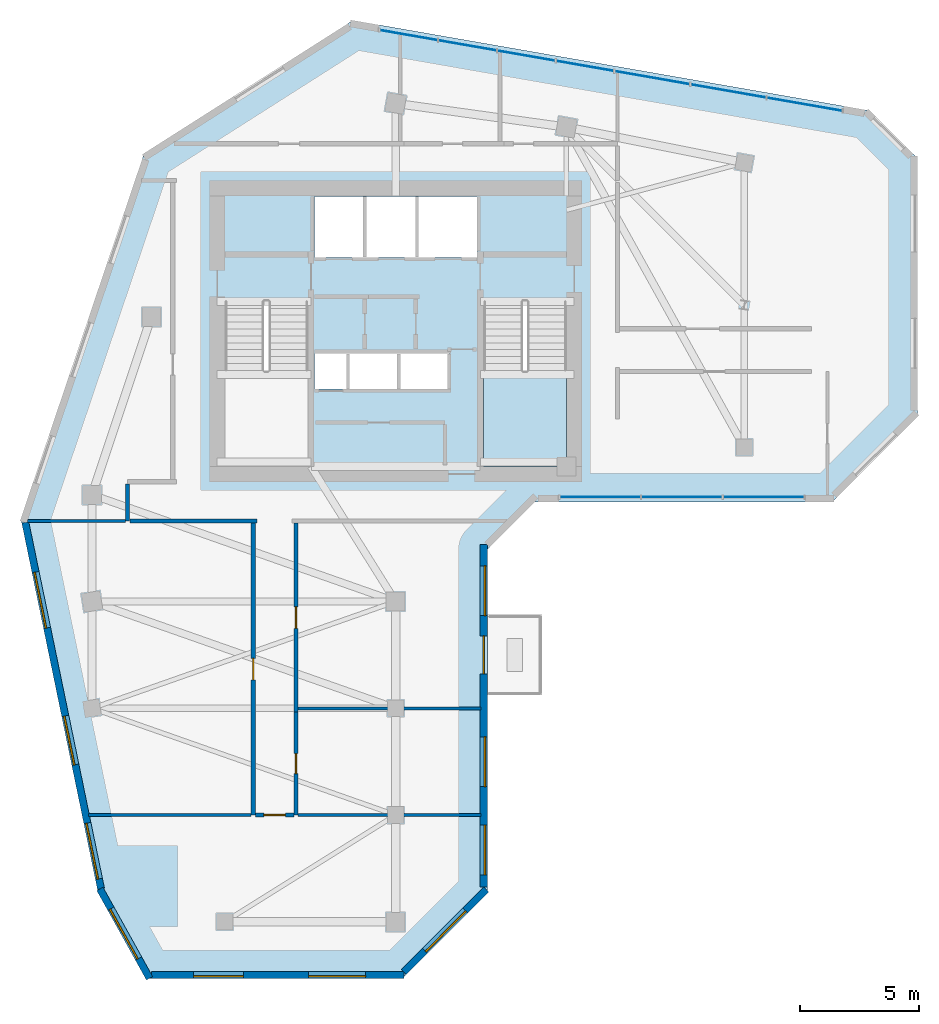
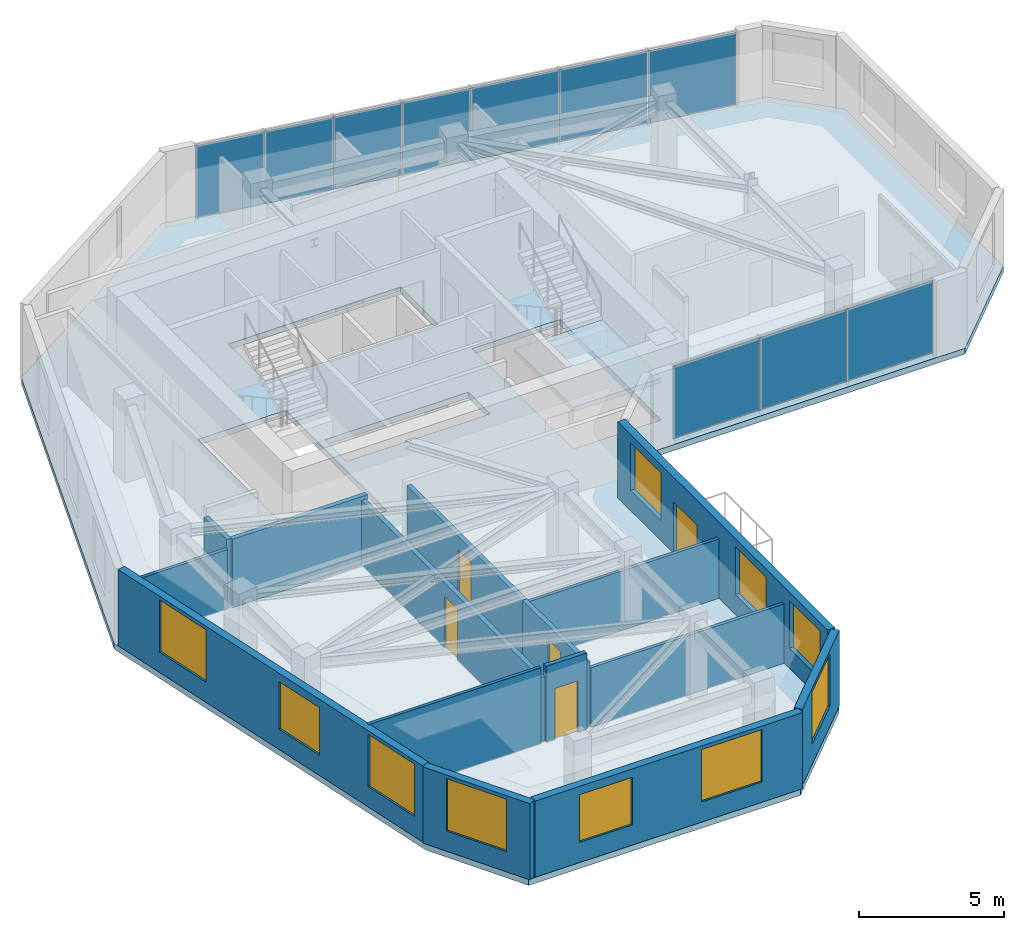
# One storey, part 3 of 9: 15 walls, 10 plates, 10 windows, 5 doors, 2 slabs, 15 openings, 3 elements without a shape of their own.
"""IFC4 building model written with IfcOpenShell, lengths in metres."""

from ifc_helpers import new_model, si_unit, direction, frame, frame_2d, origin, place, context, subcontext, project, spatial, polyline, rectangle, outline, extrude, source, transform, mapped, material, layer, layer_set, type_object, element, fill, aggregate, save


model = new_model("IFC4")

# Units and contexts
model_context = context("Model", 3, precision=1e-05, world=origin(), true_north=direction((0.0, 1.0)))
body_context = subcontext(model_context, "Body", "Model", "MODEL_VIEW")
ifc_project = project(units=[si_unit("LENGTHUNIT", "METRE"), si_unit("AREAUNIT", "SQUARE_METRE"), si_unit("VOLUMEUNIT", "CUBIC_METRE"), si_unit("PLANEANGLEUNIT", "RADIAN"), si_unit("MASSUNIT", "GRAM", prefix="KILO")], contexts=[model_context])

# Site, building, storey
site_placement = place(None, origin())
site = spatial("IfcSite", under=ifc_project, at=site_placement, CompositionType="ELEMENT")
building_placement = place(site_placement, origin())
building = spatial("IfcBuilding", under=site, at=building_placement, Name="Calvemar Wedge Station Tower", CompositionType="ELEMENT")
storey_placement = place(building_placement, frame((0.0, 0.0, 239.39990234375)))
storey = spatial("IfcBuildingStorey", under=building, at=storey_placement, Name="L61", CompositionType="ELEMENT", Elevation=239.39990234375)

# Curtain wall, plates
ifc_material_1 = material(Name="Anodised aluminium 6063-T6", Category="aluminium")
curtain_wall_type = type_object("IfcCurtainWallType", Name="CW3", PredefinedType="NOTDEFINED", material=ifc_material_1)
curtain_wall_1_placement = place(storey_placement, origin())
curtain_wall_1 = element("IfcCurtainWall", 1, at=curtain_wall_1_placement, inside=storey, type_object=curtain_wall_type, Name="Storey L61 CW3 Recessed Unitised Curtain Wall 6", PredefinedType="NOTDEFINED")
ifc_material_2 = material(Name="Low-E laminated insulated glass", Category="glass")
ifc_layer_1 = layer(ifc_material_2, 0.028076171875)
ifc_layer_set_1 = layer_set([ifc_layer_1], Name="Low-E laminated insulated glass")
plate_type = type_object("IfcPlateType", Name="CW3-GLZ", PredefinedType="CURTAIN_PANEL", material=ifc_layer_set_1)
plate_1_placement = place(storey_placement, frame((30.719970703125, 32.902099609375, 0.080078125), z_axis=(0.0, 0.0, 1.0), x_axis=(1.0, 0.0, 0.0)))
plate_1 = element("IfcPlate", 2, at=plate_1_placement, type_object=plate_type, Name="CW3 glass panel 1", PredefinedType="CURTAIN_PANEL", context=body_context, shape_type="SweptSolid", body=[
    extrude(rectangle(XDim=3.4091796875, YDim=0.028076171875, at=frame_2d((1.70458984375, 0.0))), origin(), (0.0, 0.0, 1.0), 3.0400390625),
])
plate_2_placement = place(storey_placement, frame((34.165283203125, 32.902099609375, 0.080078125), z_axis=(0.0, 0.0, 1.0), x_axis=(1.0, 0.0, 0.0)))
plate_2 = element("IfcPlate", 3, at=plate_2_placement, type_object=plate_type, Name="CW3 glass panel 2", PredefinedType="CURTAIN_PANEL", context=body_context, shape_type="SweptSolid", body=[
    extrude(rectangle(XDim=3.409423828125, YDim=0.028076171875, at=frame_2d((1.70458984375, 0.0))), origin(), (0.0, 0.0, 1.0), 3.0400390625),
])
plate_3_placement = place(storey_placement, frame((37.610595703125, 32.902099609375, 0.080078125), z_axis=(0.0, 0.0, 1.0), x_axis=(1.0, 0.0, 0.0)))
plate_3 = element("IfcPlate", 4, at=plate_3_placement, type_object=plate_type, Name="CW3 glass panel 3", PredefinedType="CURTAIN_PANEL", context=body_context, shape_type="SweptSolid", body=[
    extrude(rectangle(XDim=3.409423828125, YDim=0.028076171875, at=frame_2d((1.70458984375, 0.0))), origin(), (0.0, 0.0, 1.0), 3.0400390625),
])
aggregate(curtain_wall_1, [plate_1, plate_2, plate_3])

curtain_wall_2_placement = place(storey_placement, origin())
curtain_wall_2 = element("IfcCurtainWall", 5, at=curtain_wall_2_placement, inside=storey, type_object=curtain_wall_type, Name="Storey L61 CW3 Recessed Unitised Curtain Wall 10", PredefinedType="NOTDEFINED")
plate_4_placement = place(storey_placement, frame((42.615966796875, 49.185791015625, 0.080078125), z_axis=(0.0, 0.0, 1.0), x_axis=(-0.985086154315, 0.172061816152, 0.0)))
plate_4 = element("IfcPlate", 6, at=plate_4_placement, type_object=plate_type, Name="CW3 glass panel 1", PredefinedType="CURTAIN_PANEL", context=body_context, shape_type="SweptSolid", body=[
    extrude(rectangle(XDim=3.216552734375, YDim=0.028076171875, at=frame_2d((1.6083984375, 0.0))), origin(), (0.0, 0.0, 1.0), 3.0400390625),
])
plate_5_placement = place(storey_placement, frame((39.411865234375, 49.745361328125, 0.080078125), z_axis=(0.0, 0.0, 1.0), x_axis=(-0.985083907068, 0.172074681563, 0.0)))
plate_5 = element("IfcPlate", 7, at=plate_5_placement, type_object=plate_type, Name="CW3 glass panel 2", PredefinedType="CURTAIN_PANEL", context=body_context, shape_type="SweptSolid", body=[
    extrude(rectangle(XDim=3.216552734375, YDim=0.028076171875, at=frame_2d((1.6083984375, 0.0))), origin(), (0.0, 0.0, 1.0), 3.0400390625),
])
plate_6_placement = place(storey_placement, frame((36.207763671875, 50.304931640625, 0.080078125), z_axis=(0.0, 0.0, 1.0), x_axis=(-0.985083907068, 0.172074681563, 0.0)))
plate_6 = element("IfcPlate", 8, at=plate_6_placement, type_object=plate_type, Name="CW3 glass panel 3", PredefinedType="CURTAIN_PANEL", context=body_context, shape_type="SweptSolid", body=[
    extrude(rectangle(XDim=3.216552734375, YDim=0.028076171875, at=frame_2d((1.6083984375, 0.0))), origin(), (0.0, 0.0, 1.0), 3.0400390625),
])
plate_7_placement = place(storey_placement, frame((33.00390625, 50.86474609375, 0.080078125), z_axis=(0.0, 0.0, 1.0), x_axis=(-0.98509358917, 0.172019244782, 0.0)))
plate_7 = element("IfcPlate", 9, at=plate_7_placement, type_object=plate_type, Name="CW3 glass panel 4", PredefinedType="CURTAIN_PANEL", context=body_context, shape_type="SweptSolid", body=[
    extrude(rectangle(XDim=2.4765625, YDim=0.028076171875, at=frame_2d((1.23828125, 0.0))), origin(), (0.0, 0.0, 1.0), 3.0400390625),
])
plate_8_placement = place(storey_placement, frame((30.52880859375, 51.297119140625, 0.080078125), z_axis=(0.0, 0.0, 1.0), x_axis=(-0.985090671751, 0.172035950981, 0.0)))
plate_8 = element("IfcPlate", 10, at=plate_8_placement, type_object=plate_type, Name="CW3 glass panel 5", PredefinedType="CURTAIN_PANEL", context=body_context, shape_type="SweptSolid", body=[
    extrude(rectangle(XDim=2.476318359375, YDim=0.028076171875, at=frame_2d((1.23828125, 0.0))), origin(), (0.0, 0.0, 1.0), 3.0400390625),
])
plate_9_placement = place(storey_placement, frame((28.053955078125, 51.729248046875, 0.080078125), z_axis=(0.0, 0.0, 1.0), x_axis=(-0.985075890094, 0.172120570404, 0.0)))
plate_9 = element("IfcPlate", 11, at=plate_9_placement, type_object=plate_type, Name="CW3 glass panel 6", PredefinedType="CURTAIN_PANEL", context=body_context, shape_type="SweptSolid", body=[
    extrude(rectangle(XDim=2.485107421875, YDim=0.028076171875, at=frame_2d((1.24267578125, 0.0))), origin(), (0.0, 0.0, 1.0), 3.0400390625),
])
plate_10_placement = place(storey_placement, frame((25.570556640625, 52.1630859375, 0.080078125), z_axis=(0.0, 0.0, 1.0), x_axis=(-0.985078800149, 0.172103914825, 0.0)))
plate_10 = element("IfcPlate", 12, at=plate_10_placement, type_object=plate_type, Name="CW3 glass panel 7", PredefinedType="CURTAIN_PANEL", context=body_context, shape_type="SweptSolid", body=[
    extrude(rectangle(XDim=2.4853515625, YDim=0.028076171875, at=frame_2d((1.24267578125, 0.0))), origin(), (0.0, 0.0, 1.0), 3.0400390625),
])
aggregate(curtain_wall_2, [plate_4, plate_5, plate_6, plate_7, plate_8, plate_9, plate_10])

# Stair, slab
ifc_material_3 = material(Name="Concrete C45", Category="concrete")
stair_type = type_object("IfcStairType", Name="ST-TYPE-3500", PredefinedType="HALF_TURN_STAIR", material=ifc_material_3)
stair_placement = place(storey_placement, origin())
stair = element("IfcStair", 13, at=stair_placement, inside=storey, type_object=stair_type, Name="L61 Pressurized Core Exit Stair ST-C2", PredefinedType="HALF_TURN_STAIR")
ifc_layer_2 = layer(ifc_material_3, 0.199951171875)
ifc_layer_set_2 = layer_set([ifc_layer_2], Name="Concrete C45")
slab_type_1 = type_object("IfcSlabType", Name="SL-STAIR-LND-200", PredefinedType="LANDING", material=ifc_layer_set_2)
slab_1_placement = place(storey_placement, frame((0.0, 0.0, 1.550048828125)))
slab_1 = element("IfcSlab", 14, at=slab_1_placement, type_object=slab_type_1, Name="ST-C2 landing 1", PredefinedType="LANDING", context=body_context, shape_type="SweptSolid", body=[
    extrude(outline(polyline([(27.5, 38.25), (27.5, 34.199951171875), (31.0, 34.199951171875), (31.0, 38.25), (27.5, 38.25)])), origin(), (0.0, 0.0, 1.0), 0.199951171875),
])
aggregate(stair, [slab_1])

# Slab
ifc_material_4 = material(Name="Concrete C50", Category="concrete")
ifc_layer_3 = layer(ifc_material_4, 0.25)
ifc_layer_set_3 = layer_set([ifc_layer_3], Name="Concrete C50")
slab_type_2 = type_object("IfcSlabType", Name="SL-TYP-250", PredefinedType="FLOOR", material=ifc_layer_set_3)
slab_2_placement = place(storey_placement, frame((0.0, 0.0, -0.25)))
element("IfcSlab", 15, at=slab_2_placement, inside=storey, type_object=slab_type_2, Name="Storey L61 Structural Floor Slab", PredefinedType="FLOOR", context=body_context, shape_type="SweptSolid", body=[
    extrude(outline(polyline([(8.0, 32.0), (11.263916015625, 16.199951171875), (13.263916015625, 12.60009765625), (24.06396484375, 12.60009765625), (27.6640625, 16.199951171875), (27.6640625, 30.69189453125), (29.6640625, 32.69189453125), (42.199951171875, 32.69189453125), (45.800048828125, 36.2919921875), (45.800048828125, 47.19189453125), (43.800048828125, 49.19189453125), (22.0, 53.0), (13.199951171875, 47.39990234375), (8.0, 32.0)]), holes=[polyline([(20.10009765625, 34.199951171875), (20.10009765625, 41.14990234375), (16.60009765625, 41.14990234375), (16.60009765625, 34.199951171875), (20.10009765625, 34.199951171875)]), polyline([(27.5, 34.199951171875), (31.0, 34.199951171875), (31.0, 41.14990234375), (27.5, 41.14990234375), (27.5, 34.199951171875)]), polyline([(21.800048828125, 37.449951171875), (23.929931640625, 37.449951171875), (23.93994140625, 37.449951171875), (26.080078125, 37.449951171875), (26.080078125, 38.949951171875), (23.93994140625, 38.949951171875), (23.929931640625, 38.949951171875), (21.800048828125, 38.949951171875), (21.7900390625, 38.949951171875), (20.3798828125, 38.949951171875), (20.3798828125, 37.449951171875), (21.7900390625, 37.449951171875), (21.800048828125, 37.449951171875)]), polyline([(27.219970703125, 43.0), (27.219970703125, 45.580078125), (20.3798828125, 45.580078125), (20.3798828125, 43.0), (27.219970703125, 43.0)])]), origin(), (0.0, 0.0, 1.0), 0.25),
])

# Walls
ifc_material_5 = material(Name="Double-stud fire-rated corridor partition")
ifc_layer_4 = layer(ifc_material_5, 0.179931640625)
ifc_layer_set_4 = layer_set([ifc_layer_4], Name="Double-stud fire-rated corridor partition")
wall_type_1 = type_object("IfcWallType", Name="W-CORR-180", PredefinedType="PARTITIONING", material=ifc_layer_set_4)
wall_1_placement = place(storey_placement, frame((12.5, 31.89990234375, 0.0), z_axis=(0.0, 0.0, 1.0), x_axis=(0.0, 1.0, 0.0)))
element("IfcWall", 16, at=wall_1_placement, inside=storey, type_object=wall_type_1, Name="Storey L61 Interior Partition WL-L61-009", PredefinedType="PARTITIONING", context=body_context, shape_type="SweptSolid", body=[
    extrude(rectangle(XDim=1.55615234375, YDim=0.179931640625, at=frame_2d((0.778076171875, 0.0))), origin(), (0.0, 0.0, 1.0), 2.869140625),
])
wall_2_placement = place(storey_placement, frame((17.9599609375, 31.89990234375, 0.0), z_axis=(0.0, 0.0, 1.0), x_axis=(-1.0, 0.0, 0.0)))
element("IfcWall", 17, at=wall_2_placement, inside=storey, type_object=wall_type_1, Name="Storey L61 Interior Partition WL-L61-010", PredefinedType="PARTITIONING", context=body_context, shape_type="SweptSolid", body=[
    extrude(rectangle(XDim=5.365966796875, YDim=0.179931640625, at=frame_2d((2.68310546875, 0.0))), origin(), (0.0, 0.0, 1.0), 2.869140625),
])

# Wall, opening, door
wall_3_placement = place(storey_placement, frame((17.800048828125, 19.5, 0.0), z_axis=(0.0, 0.0, 1.0), x_axis=(0.0, 1.0, 0.0)))
wall_3 = element("IfcWall", 18, at=wall_3_placement, inside=storey, type_object=wall_type_1, Name="Storey L61 Interior Partition WL-L61-027", PredefinedType="PARTITIONING", context=body_context, shape_type="SweptSolid", body=[
    extrude(rectangle(XDim=12.305908203125, YDim=0.179931640625, at=frame_2d((6.15283203125, 0.0))), origin(), (0.0, 0.0, 1.0), 2.716064453125),
])
shared_shape_1 = source(origin(), body_context, "Body", "SweptSolid", [
    extrude(rectangle(XDim=0.89990234375, YDim=2.14990234375, at=frame_2d((0.449951171875, 1.074951171875))), frame((0.0, 0.10009765625, 0.0), z_axis=(0.0, -1.0, 0.0), x_axis=(1.0, 0.0, 0.0)), (0.0, 0.0, 1.0), 0.199951171875),
])
opening_1_placement = place(wall_3_placement, frame((5.702880859375, 0.0, 0.0)))
opening_1 = element("IfcOpeningElement", 19, at=opening_1_placement, cuts=wall_3, Name="Opening D-01", PredefinedType="OPENING", context=body_context, shape_type="MappedRepresentation", body=[
    mapped(shared_shape_1, transform((0.0, 0.0, 0.0), scale=1.0)),
])
ifc_material_6 = material(Name="Architectural hardwood acoustic swing door", Category="wood")
door_type_1 = type_object("IfcDoorType", Name="DR-INT-900", OperationType="NOTDEFINED", PredefinedType="DOOR", material=ifc_material_6)
shared_shape_2 = source(origin(), body_context, "Body", "SweptSolid", [
    extrude(rectangle(XDim=0.89990234375, YDim=2.14990234375, at=frame_2d((0.449951171875, 1.074951171875))), frame((0.0, 0.02490234375, 0.0), z_axis=(0.0, -1.0, 0.0), x_axis=(1.0, 0.0, 0.0)), (0.0, 0.0, 1.0), 0.050048828125),
])
door_1_placement = place(opening_1_placement, origin())
door_1 = element("IfcDoor", 20, at=door_1_placement, inside=storey, type_object=door_type_1, Name="L61 Co-Working Studio Door", OperationType="SINGLE_SWING_RIGHT", OverallHeight=2.14990234375, OverallWidth=0.89990234375, PredefinedType="DOOR", context=body_context, shape_type="MappedRepresentation", body=[
    mapped(shared_shape_2, transform((0.0, 0.0, 0.0), scale=1.0)),
])
fill(opening_1, door_1)

wall_4_placement = place(storey_placement, frame((19.60009765625, 31.805908203125, 0.0), z_axis=(0.0, 0.0, 1.0), x_axis=(0.0, -1.0, 0.0)))
wall_4 = element("IfcWall", 21, at=wall_4_placement, inside=storey, type_object=wall_type_1, Name="Storey L61 Interior Partition WL-L61-028", PredefinedType="PARTITIONING", context=body_context, shape_type="SweptSolid", body=[
    extrude(rectangle(XDim=7.9658203125, YDim=0.179931640625, at=frame_2d((3.98291015625, 0.0))), origin(), (0.0, 0.0, 1.0), 2.716064453125),
])
opening_2_placement = place(wall_4_placement, frame((3.532958984375, 0.0, 0.0)))
opening_2 = element("IfcOpeningElement", 22, at=opening_2_placement, cuts=wall_4, Name="Opening D-01", PredefinedType="OPENING", context=body_context, shape_type="MappedRepresentation", body=[
    mapped(shared_shape_1, transform((0.0, 0.0, 0.0), scale=1.0)),
])
door_2_placement = place(opening_2_placement, origin())
door_2 = element("IfcDoor", 23, at=door_2_placement, inside=storey, type_object=door_type_1, Name="L61 Executive Boardroom Door", OperationType="SINGLE_SWING_LEFT", OverallHeight=2.14990234375, OverallWidth=0.89990234375, PredefinedType="DOOR", context=body_context, shape_type="MappedRepresentation", body=[
    mapped(shared_shape_2, transform((0.0, 0.0, 0.0), scale=1.0)),
])
fill(opening_2, door_2)

wall_5_placement = place(storey_placement, frame((19.60009765625, 23.837890625, 0.0), z_axis=(0.0, 0.0, 1.0), x_axis=(0.0, -1.0, 0.0)))
wall_5 = element("IfcWall", 24, at=wall_5_placement, inside=storey, type_object=wall_type_1, Name="Storey L61 Interior Partition WL-L61-029", PredefinedType="PARTITIONING", context=body_context, shape_type="SweptSolid", body=[
    extrude(rectangle(XDim=4.337890625, YDim=0.179931640625, at=frame_2d((2.1689453125, 0.0))), origin(), (0.0, 0.0, 1.0), 2.72900390625),
])
shared_shape_3 = source(origin(), body_context, "Body", "SweptSolid", [
    extrude(rectangle(XDim=0.85009765625, YDim=2.14990234375, at=frame_2d((0.425048828125, 1.074951171875))), frame((0.0, 0.10009765625, 0.0), z_axis=(0.0, -1.0, 0.0), x_axis=(1.0, 0.0, 0.0)), (0.0, 0.0, 1.0), 0.199951171875),
])
opening_3_placement = place(wall_5_placement, frame((1.743896484375, 0.0, 0.0)))
opening_3 = element("IfcOpeningElement", 25, at=opening_3_placement, cuts=wall_5, Name="Opening D-02", PredefinedType="OPENING", context=body_context, shape_type="MappedRepresentation", body=[
    mapped(shared_shape_3, transform((0.0, 0.0, 0.0), scale=1.0)),
])
ifc_material_7 = material(Name="Moisture-sealed bathroom hardwood swing door", Category="wood")
door_type_2 = type_object("IfcDoorType", Name="DR-WET-850", OperationType="NOTDEFINED", PredefinedType="DOOR", material=ifc_material_7)
shared_shape_4 = source(origin(), body_context, "Body", "SweptSolid", [
    extrude(rectangle(XDim=0.85009765625, YDim=2.14990234375, at=frame_2d((0.425048828125, 1.074951171875))), frame((0.0, 0.02490234375, 0.0), z_axis=(0.0, -1.0, 0.0), x_axis=(1.0, 0.0, 0.0)), (0.0, 0.0, 1.0), 0.050048828125),
])
door_3_placement = place(opening_3_placement, origin())
door_3 = element("IfcDoor", 26, at=door_3_placement, inside=storey, type_object=door_type_2, Name="L61 Pantry Door", OperationType="SINGLE_SWING_RIGHT", OverallHeight=2.14990234375, OverallWidth=0.85009765625, PredefinedType="DOOR", context=body_context, shape_type="MappedRepresentation", body=[
    mapped(shared_shape_4, transform((0.0, 0.0, 0.0), scale=1.0)),
])
fill(opening_3, door_3)

wall_6_placement = place(storey_placement, frame((19.506103515625, 19.5, 0.0), z_axis=(0.0, 0.0, 1.0), x_axis=(-1.0, 0.0, 0.0)))
wall_6 = element("IfcWall", 27, at=wall_6_placement, inside=storey, type_object=wall_type_1, Name="Storey L61 Interior Partition WL-L61-030", PredefinedType="PARTITIONING", context=body_context, shape_type="SweptSolid", body=[
    extrude(rectangle(XDim=1.612060546875, YDim=0.179931640625, at=frame_2d((0.80615234375, 0.0))), origin(), (0.0, 0.0, 1.0), 3.2001953125),
])
opening_4_placement = place(wall_6_placement, frame((0.35595703125, 0.0, 0.0)))
opening_4 = element("IfcOpeningElement", 28, at=opening_4_placement, cuts=wall_6, Name="Opening D-01", PredefinedType="OPENING", context=body_context, shape_type="MappedRepresentation", body=[
    mapped(shared_shape_1, transform((0.0, 0.0, 0.0), scale=1.0)),
])
door_4_placement = place(opening_4_placement, origin())
door_4 = element("IfcDoor", 29, at=door_4_placement, inside=storey, type_object=door_type_1, Name="L61 Sky Conference Hall Door", OperationType="SINGLE_SWING_LEFT", OverallHeight=2.14990234375, OverallWidth=0.89990234375, PredefinedType="DOOR", context=body_context, shape_type="MappedRepresentation", body=[
    mapped(shared_shape_2, transform((0.0, 0.0, 0.0), scale=1.0)),
])
fill(opening_4, door_4)

# Wall, opening, window
ifc_material_8 = material(Name="Precast concrete C45", Category="concrete")
ifc_layer_5 = layer(ifc_material_8, 0.300048828125)
ifc_layer_set_5 = layer_set([ifc_layer_5], Name="Precast concrete C45")
wall_type_2 = type_object("IfcWallType", Name="W-EXT-GFRC-300", PredefinedType="SOLIDWALL", material=ifc_layer_set_5)
wall_7_placement = place(storey_placement, frame((11.33349609375, 16.3837890625, 0.0), z_axis=(0.0, 0.0, 1.0), x_axis=(0.485633305139, -0.874162623852, 0.0)))
wall_7 = element("IfcWall", 30, at=wall_7_placement, inside=storey, type_object=wall_type_2, Name="Storey L61 Bronze GFRC Exterior Wall 1", PredefinedType="SOLIDWALL", context=body_context, shape_type="SweptSolid", body=[
    extrude(rectangle(XDim=4.306884765625, YDim=0.300048828125, at=frame_2d((2.1533203125, 0.0))), origin(), (0.0, 0.0, 1.0), 3.2001953125),
])
shared_shape_5 = source(origin(), body_context, "Body", "SweptSolid", [
    extrude(rectangle(XDim=2.39990234375, YDim=2.199951171875, at=frame_2d((1.199951171875, 1.10009765625))), frame((0.0, 0.16015625, 0.0), z_axis=(0.0, -1.0, 0.0), x_axis=(1.0, 0.0, 0.0)), (0.0, 0.0, 1.0), 0.320068359375),
])
opening_5_placement = place(wall_7_placement, frame((0.9541015625, 0.0, 0.85009765625)))
opening_5 = element("IfcOpeningElement", 31, at=opening_5_placement, cuts=wall_7, Name="Opening W1", PredefinedType="OPENING", context=body_context, shape_type="MappedRepresentation", body=[
    mapped(shared_shape_5, transform((0.0, 0.0, 0.0), scale=1.0)),
])
window_type_1 = type_object("IfcWindowType", Name="WIN-EXT-1", PartitioningType="SINGLE_PANEL", PredefinedType="WINDOW", material=ifc_material_2)
shared_shape_6 = source(origin(), body_context, "Body", "SweptSolid", [
    extrude(rectangle(XDim=2.39990234375, YDim=2.199951171875, at=frame_2d((1.199951171875, 1.10009765625))), frame((0.0, -0.014892578125, 0.0), z_axis=(0.0, -1.0, 0.0), x_axis=(1.0, 0.0, 0.0)), (0.0, 0.0, 1.0), 0.06005859375),
])
window_1_placement = place(opening_5_placement, origin())
window_1 = element("IfcWindow", 32, at=window_1_placement, inside=storey, type_object=window_type_1, Name="Storey L61 Recessed Window 1.1", OverallHeight=2.199951171875, OverallWidth=2.39990234375, PartitioningType="SINGLE_PANEL", PredefinedType="WINDOW", context=body_context, shape_type="MappedRepresentation", body=[
    mapped(shared_shape_6, transform((0.0, 0.0, 0.0), scale=1.0)),
])
fill(opening_5, window_1)

# Wall, openings, windows
wall_8_placement = place(storey_placement, frame((13.510009765625, 12.75, 0.0), z_axis=(0.0, 0.0, 1.0), x_axis=(1.0, 0.0, 0.0)))
wall_8 = element("IfcWall", 33, at=wall_8_placement, inside=storey, type_object=wall_type_2, Name="Storey L61 Bronze GFRC Exterior Wall 2", PredefinedType="SOLIDWALL", context=body_context, shape_type="SweptSolid", body=[
    extrude(rectangle(XDim=10.641845703125, YDim=0.300048828125, at=frame_2d((5.32080078125, 0.0))), origin(), (0.0, 0.0, 1.0), 3.2001953125),
])
shared_shape_7 = source(origin(), body_context, "Body", "SweptSolid", [
    extrude(rectangle(XDim=2.10009765625, YDim=2.0, at=frame_2d((1.050048828125, 1.0))), frame((0.0, 0.16015625, 0.0), z_axis=(0.0, -1.0, 0.0), x_axis=(1.0, 0.0, 0.0)), (0.0, 0.0, 1.0), 0.320068359375),
])
opening_6_placement = place(wall_8_placement, frame((1.77001953125, 0.0, 0.85009765625)))
opening_6 = element("IfcOpeningElement", 34, at=opening_6_placement, cuts=wall_8, Name="Opening W4", PredefinedType="OPENING", context=body_context, shape_type="MappedRepresentation", body=[
    mapped(shared_shape_7, transform((0.0, 0.0, 0.0), scale=1.0)),
])
opening_7_placement = place(wall_8_placement, frame((6.62109375, 0.0, 0.85009765625)))
opening_7 = element("IfcOpeningElement", 35, at=opening_7_placement, cuts=wall_8, Name="Opening W1", PredefinedType="OPENING", context=body_context, shape_type="MappedRepresentation", body=[
    mapped(shared_shape_5, transform((0.0, 0.0, 0.0), scale=1.0)),
])
window_type_2 = type_object("IfcWindowType", Name="WIN-EXT-4", PartitioningType="SINGLE_PANEL", PredefinedType="WINDOW", material=ifc_material_2)
shared_shape_8 = source(origin(), body_context, "Body", "SweptSolid", [
    extrude(rectangle(XDim=2.10009765625, YDim=2.0, at=frame_2d((1.050048828125, 1.0))), frame((0.0, -0.014892578125, 0.0), z_axis=(0.0, -1.0, 0.0), x_axis=(1.0, 0.0, 0.0)), (0.0, 0.0, 1.0), 0.06005859375),
])
window_2_placement = place(opening_6_placement, origin())
window_2 = element("IfcWindow", 36, at=window_2_placement, inside=storey, type_object=window_type_2, Name="Storey L61 Recessed Window 2.1", OverallHeight=2.0, OverallWidth=2.10009765625, PartitioningType="SINGLE_PANEL", PredefinedType="WINDOW", context=body_context, shape_type="MappedRepresentation", body=[
    mapped(shared_shape_8, transform((0.0, 0.0, 0.0), scale=1.0)),
])
fill(opening_6, window_2)
window_3_placement = place(opening_7_placement, origin())
window_3 = element("IfcWindow", 37, at=window_3_placement, inside=storey, type_object=window_type_1, Name="Storey L61 Recessed Window 2.2", OverallHeight=2.199951171875, OverallWidth=2.39990234375, PartitioningType="SINGLE_PANEL", PredefinedType="WINDOW", context=body_context, shape_type="MappedRepresentation", body=[
    mapped(shared_shape_6, transform((0.0, 0.0, 0.0), scale=1.0)),
])
fill(opening_7, window_3)

# Wall, opening, window
wall_9_placement = place(storey_placement, frame((24.139892578125, 12.887939453125, 0.0), z_axis=(0.0, 0.0, 1.0), x_axis=(0.707106781187, 0.707106781187, 0.0)))
wall_9 = element("IfcWall", 38, at=wall_9_placement, inside=storey, type_object=wall_type_2, Name="Storey L61 Bronze GFRC Exterior Wall 3", PredefinedType="SOLIDWALL", context=body_context, shape_type="SweptSolid", body=[
    extrude(rectangle(XDim=4.921875, YDim=0.300048828125, at=frame_2d((2.4609375, 0.0))), origin(), (0.0, 0.0, 1.0), 3.2001953125),
])
opening_8_placement = place(wall_9_placement, frame((1.260986328125, 0.0, 0.85009765625)))
opening_8 = element("IfcOpeningElement", 39, at=opening_8_placement, cuts=wall_9, Name="Opening W1", PredefinedType="OPENING", context=body_context, shape_type="MappedRepresentation", body=[
    mapped(shared_shape_5, transform((0.0, 0.0, 0.0), scale=1.0)),
])
window_4_placement = place(opening_8_placement, origin())
window_4 = element("IfcWindow", 40, at=window_4_placement, inside=storey, type_object=window_type_1, Name="Storey L61 Recessed Window 3.1", OverallHeight=2.199951171875, OverallWidth=2.39990234375, PartitioningType="SINGLE_PANEL", PredefinedType="WINDOW", context=body_context, shape_type="MappedRepresentation", body=[
    mapped(shared_shape_6, transform((0.0, 0.0, 0.0), scale=1.0)),
])
fill(opening_8, window_4)

# Wall, openings, windows, door
wall_10_placement = place(storey_placement, frame((27.513916015625, 16.457275390625, 0.0), z_axis=(0.0, 0.0, 1.0), x_axis=(0.0, 1.0, 0.0)))
wall_10 = element("IfcWall", 41, at=wall_10_placement, inside=storey, type_object=wall_type_2, Name="Storey L61 Bronze GFRC Exterior Wall 4", PredefinedType="SOLIDWALL", context=body_context, shape_type="SweptSolid", body=[
    extrude(rectangle(XDim=14.44677734375, YDim=0.300048828125, at=frame_2d((7.223388671875, 0.0))), origin(), (0.0, 0.0, 1.0), 3.2001953125),
])
shared_shape_9 = source(origin(), body_context, "Body", "SweptSolid", [
    extrude(rectangle(XDim=1.60009765625, YDim=2.14990234375, at=frame_2d((0.800048828125, 1.074951171875))), frame((0.0, 0.16015625, 0.0), z_axis=(0.0, -1.0, 0.0), x_axis=(1.0, 0.0, 0.0)), (0.0, 0.0, 1.0), 0.320068359375),
])
opening_9_placement = place(wall_10_placement, frame((8.992919921875, 0.0, 0.0)))
opening_9 = element("IfcOpeningElement", 42, at=opening_9_placement, cuts=wall_10, Name="Opening DT1", PredefinedType="OPENING", context=body_context, shape_type="MappedRepresentation", body=[
    mapped(shared_shape_9, transform((0.0, 0.0, 0.0), scale=1.0)),
])
opening_10_placement = place(wall_10_placement, frame((0.52099609375, 0.0, 0.85009765625)))
opening_10 = element("IfcOpeningElement", 43, at=opening_10_placement, cuts=wall_10, Name="Opening W4", PredefinedType="OPENING", context=body_context, shape_type="MappedRepresentation", body=[
    mapped(shared_shape_7, transform((0.0, 0.0, 0.0), scale=1.0)),
])
opening_11_placement = place(wall_10_placement, frame((4.242919921875, 0.0, 0.85009765625)))
opening_11 = element("IfcOpeningElement", 44, at=opening_11_placement, cuts=wall_10, Name="Opening W4", PredefinedType="OPENING", context=body_context, shape_type="MappedRepresentation", body=[
    mapped(shared_shape_7, transform((0.0, 0.0, 0.0), scale=1.0)),
])
opening_12_placement = place(wall_10_placement, frame((11.449951171875, 0.0, 0.85009765625)))
opening_12 = element("IfcOpeningElement", 45, at=opening_12_placement, cuts=wall_10, Name="Opening W4", PredefinedType="OPENING", context=body_context, shape_type="MappedRepresentation", body=[
    mapped(shared_shape_7, transform((0.0, 0.0, 0.0), scale=1.0)),
])
window_5_placement = place(opening_10_placement, origin())
window_5 = element("IfcWindow", 46, at=window_5_placement, inside=storey, type_object=window_type_2, Name="Storey L61 Recessed Window 4.1", OverallHeight=2.0, OverallWidth=2.10009765625, PartitioningType="SINGLE_PANEL", PredefinedType="WINDOW", context=body_context, shape_type="MappedRepresentation", body=[
    mapped(shared_shape_8, transform((0.0, 0.0, 0.0), scale=1.0)),
])
fill(opening_10, window_5)
window_6_placement = place(opening_11_placement, origin())
window_6 = element("IfcWindow", 47, at=window_6_placement, inside=storey, type_object=window_type_2, Name="Storey L61 Recessed Window 4.2", OverallHeight=2.0, OverallWidth=2.10009765625, PartitioningType="SINGLE_PANEL", PredefinedType="WINDOW", context=body_context, shape_type="MappedRepresentation", body=[
    mapped(shared_shape_8, transform((0.0, 0.0, 0.0), scale=1.0)),
])
fill(opening_11, window_6)
window_7_placement = place(opening_12_placement, origin())
window_7 = element("IfcWindow", 48, at=window_7_placement, inside=storey, type_object=window_type_2, Name="Storey L61 Recessed Window 4.3", OverallHeight=2.0, OverallWidth=2.10009765625, PartitioningType="SINGLE_PANEL", PredefinedType="WINDOW", context=body_context, shape_type="MappedRepresentation", body=[
    mapped(shared_shape_8, transform((0.0, 0.0, 0.0), scale=1.0)),
])
fill(opening_12, window_7)
door_type_3 = type_object("IfcDoorType", Name="DR-TERR-1600", OperationType="DOUBLE_DOOR_SLIDING", PredefinedType="DOOR", material=ifc_material_1)
shared_shape_10 = source(origin(), body_context, "Body", "SweptSolid", [
    extrude(rectangle(XDim=1.60009765625, YDim=2.14990234375, at=frame_2d((0.800048828125, 1.074951171875))), frame((0.0, 0.02490234375, 0.0), z_axis=(0.0, -1.0, 0.0), x_axis=(1.0, 0.0, 0.0)), (0.0, 0.0, 1.0), 0.050048828125),
])
door_5_placement = place(opening_9_placement, origin())
door_5 = element("IfcDoor", 49, at=door_5_placement, inside=storey, type_object=door_type_3, Name="Storey L61 Spiral Terrace Door", OperationType="DOUBLE_DOOR_SLIDING", OverallHeight=2.14990234375, OverallWidth=1.60009765625, PredefinedType="DOOR", context=body_context, shape_type="MappedRepresentation", body=[
    mapped(shared_shape_10, transform((0.0, 0.0, 0.0), scale=1.0)),
])
fill(opening_9, door_5)

# Wall, openings, windows
wall_11_placement = place(storey_placement, frame((8.1875, 31.833984375, 0.0), z_axis=(0.0, 0.0, 1.0), x_axis=(0.202303475707, -0.979322880217, 0.0)))
wall_11 = element("IfcWall", 50, at=wall_11_placement, inside=storey, type_object=wall_type_2, Name="Storey L61 Bronze GFRC Exterior Wall 13", PredefinedType="SOLIDWALL", context=body_context, shape_type="SweptSolid", body=[
    extrude(rectangle(XDim=15.765625, YDim=0.300048828125, at=frame_2d((7.8828125, 0.0))), origin(), (0.0, 0.0, 1.0), 3.2001953125),
])
opening_13_placement = place(wall_11_placement, frame((2.139892578125, 0.0, 0.85009765625)))
opening_13 = element("IfcOpeningElement", 51, at=opening_13_placement, cuts=wall_11, Name="Opening W1", PredefinedType="OPENING", context=body_context, shape_type="MappedRepresentation", body=[
    mapped(shared_shape_5, transform((0.0, 0.0, 0.0), scale=1.0)),
])
opening_14_placement = place(wall_11_placement, frame((8.3291015625, 0.0, 0.85009765625)))
opening_14 = element("IfcOpeningElement", 52, at=opening_14_placement, cuts=wall_11, Name="Opening W4", PredefinedType="OPENING", context=body_context, shape_type="MappedRepresentation", body=[
    mapped(shared_shape_7, transform((0.0, 0.0, 0.0), scale=1.0)),
])
opening_15_placement = place(wall_11_placement, frame((12.94189453125, 0.0, 0.85009765625)))
opening_15 = element("IfcOpeningElement", 53, at=opening_15_placement, cuts=wall_11, Name="Opening W1", PredefinedType="OPENING", context=body_context, shape_type="MappedRepresentation", body=[
    mapped(shared_shape_5, transform((0.0, 0.0, 0.0), scale=1.0)),
])
window_8_placement = place(opening_14_placement, origin())
window_8 = element("IfcWindow", 54, at=window_8_placement, inside=storey, type_object=window_type_2, Name="Storey L61 Recessed Window 13.2", OverallHeight=2.0, OverallWidth=2.10009765625, PartitioningType="SINGLE_PANEL", PredefinedType="WINDOW", context=body_context, shape_type="MappedRepresentation", body=[
    mapped(shared_shape_8, transform((0.0, 0.0, 0.0), scale=1.0)),
])
fill(opening_14, window_8)
window_9_placement = place(opening_13_placement, origin())
window_9 = element("IfcWindow", 55, at=window_9_placement, inside=storey, type_object=window_type_1, Name="Storey L61 Recessed Window 13.1", OverallHeight=2.199951171875, OverallWidth=2.39990234375, PartitioningType="SINGLE_PANEL", PredefinedType="WINDOW", context=body_context, shape_type="MappedRepresentation", body=[
    mapped(shared_shape_6, transform((0.0, 0.0, 0.0), scale=1.0)),
])
fill(opening_13, window_9)
window_10_placement = place(opening_15_placement, origin())
window_10 = element("IfcWindow", 56, at=window_10_placement, inside=storey, type_object=window_type_1, Name="Storey L61 Recessed Window 13.3", OverallHeight=2.199951171875, OverallWidth=2.39990234375, PartitioningType="SINGLE_PANEL", PredefinedType="WINDOW", context=body_context, shape_type="MappedRepresentation", body=[
    mapped(shared_shape_6, transform((0.0, 0.0, 0.0), scale=1.0)),
])
fill(opening_15, window_10)

# Walls
ifc_material_9 = material(Name="Insulated acoustic gypsum stud partition")
ifc_layer_6 = layer(ifc_material_9, 0.125)
ifc_layer_set_6 = layer_set([ifc_layer_6], Name="Insulated acoustic gypsum stud partition")
wall_type_3 = type_object("IfcWallType", Name="W-PART-125", PredefinedType="PARTITIONING", material=ifc_layer_set_6)
wall_12_placement = place(storey_placement, frame((12.406005859375, 31.89990234375, 0.0), z_axis=(0.0, 0.0, 1.0), x_axis=(-1.0, 0.0, 0.0)))
element("IfcWall", 57, at=wall_12_placement, inside=storey, type_object=wall_type_3, Name="Storey L61 Interior Partition WL-L61-020", PredefinedType="PARTITIONING", context=body_context, shape_type="SweptSolid", body=[
    extrude(rectangle(XDim=4.11474609375, YDim=0.125, at=frame_2d((2.057373046875, 0.0))), origin(), (0.0, 0.0, 1.0), 2.4921875),
])
wall_13_placement = place(storey_placement, frame((17.7060546875, 19.5, 0.0), z_axis=(0.0, 0.0, 1.0), x_axis=(-1.0, 0.0, 0.0)))
element("IfcWall", 58, at=wall_13_placement, inside=storey, type_object=wall_type_3, Name="Storey L61 Interior Partition WL-L61-031", PredefinedType="PARTITIONING", context=body_context, shape_type="SweptSolid", body=[
    extrude(rectangle(XDim=6.853271484375, YDim=0.125, at=frame_2d((3.4267578125, 0.0))), origin(), (0.0, 0.0, 1.0), 3.2001953125),
])
for number, where, z_axis, x_axis, name in (
    (59, (27.39892578125, 24.0, 0.0), (0.0, 0.0, 1.0), (-1.0, 0.0, 0.0), "Storey L61 Interior Partition WL-L61-032"),
    (60, (27.39892578125, 19.5, 0.0), (0.0, 0.0, 1.0), (-1.0, 0.0, 0.0), "Storey L61 Interior Partition WL-L61-033"),
):
    element("IfcWall", number, at=place(storey_placement, frame(where, z_axis=z_axis, x_axis=x_axis)), inside=storey, type_object=wall_type_3, Name=name, PredefinedType="PARTITIONING", context=body_context, shape_type="SweptSolid", body=[
        extrude(rectangle(XDim=7.704833984375, YDim=0.125, at=frame_2d((3.8525390625, 0.0))), origin(), (0.0, 0.0, 1.0), 2.4921875),
    ])

save(model, "model.ifc")
